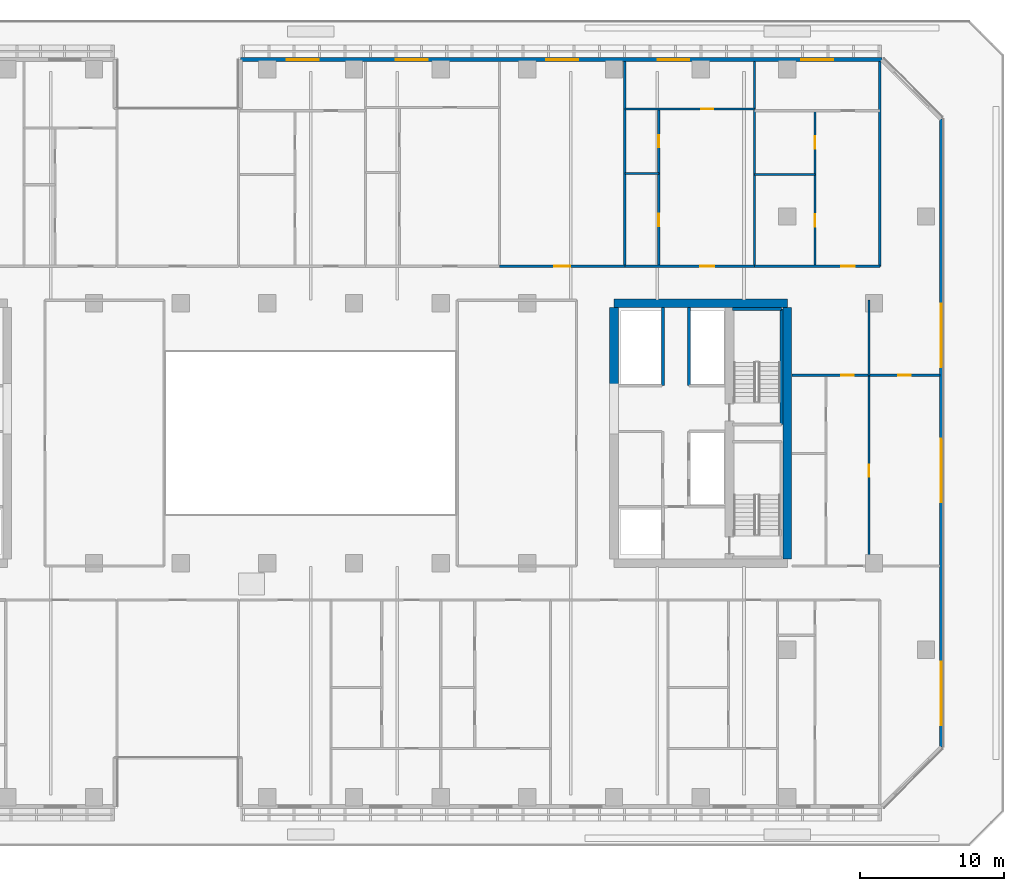
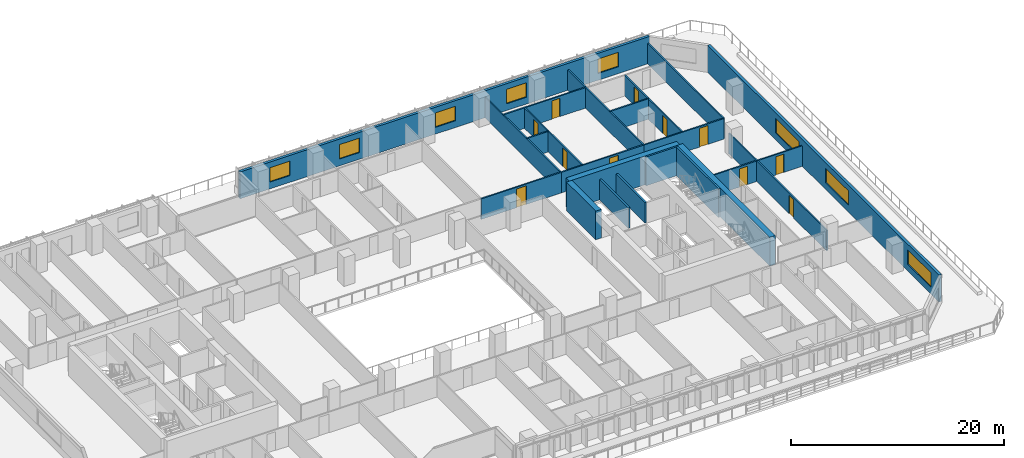
# One storey, part 11 of 23: 23 walls, 11 doors, 8 windows, 19 openings.
"""IFC4 building model written with IfcOpenShell, lengths in metres."""

import ifcopenshell
import ifcopenshell.guid

model = None  # the IFC model being written
_history = None  # IfcOwnerHistory: only IFC2X3 demands one
_inside = {}  # id of a spatial element -> (the spatial element, [elements in it])
_under = {}  # id of a project, library or spatial element -> (it, [spatial elements below it])
_declared = {}  # id of a project -> (the project, [libraries it declares])
_typed = {}  # id of a type object -> (the type object, [elements of that type])
_made_of = {}  # id of a material, layer set ... -> (it, [elements and type objects made of it])


def new_model(schema):
    """Start an empty IFC model of exactly this schema.

    Asked for "IFC4X3", IfcOpenShell would pick the latest addendum, in which some entities
    have other attributes; the version numbers below select the first issue.
    IFC2X3 requires an IfcOwnerHistory on every rooted entity: one is made here for all.
    """
    global model, _history
    if schema == "IFC4X3":
        model = ifcopenshell.file(schema_version=(4, 3, 0, 0))
    else:
        model = ifcopenshell.file(schema=schema)
    _inside.clear()
    _under.clear()
    _declared.clear()
    _typed.clear()
    _made_of.clear()
    _history = None
    if model.schema == "IFC2X3":
        org = make("IfcOrganization", Name="unknown")
        user = make(
            "IfcPersonAndOrganization",
            ThePerson=make("IfcPerson", FamilyName="unknown"),
            TheOrganization=org,
        )
        app = make(
            "IfcApplication",
            ApplicationDeveloper=org,
            Version="unknown",
            ApplicationFullName="unknown",
            ApplicationIdentifier="unknown",
        )
        _history = make(
            "IfcOwnerHistory",
            OwningUser=user,
            OwningApplication=app,
            ChangeAction="ADDED",
            CreationDate=0,
        )
    return model


def make(cls, **values):
    """One entity of the class cls with the attributes given. An attribute that is None is left unset."""
    return model.create_entity(
        cls, **{name: value for name, value in values.items() if value is not None}
    )


def rooted(cls, **values):
    """An entity with a GlobalId (a new one), such as an element, a storey or a relation."""
    return make(cls, GlobalId=ifcopenshell.guid.new(), OwnerHistory=_history, **values)


def si_unit(unit_type, name, prefix=None):
    """IfcSIUnit, for example si_unit("LENGTHUNIT", "METRE", prefix="MILLI")."""
    return make("IfcSIUnit", UnitType=unit_type, Prefix=prefix, Name=name)


def assignment(units):
    """IfcUnitAssignment: the units of a project."""
    return None if units is None else make("IfcUnitAssignment", Units=units)


def point(xyz):
    """IfcCartesianPoint."""
    return None if xyz is None else make("IfcCartesianPoint", Coordinates=xyz)


def direction(xyz):
    """IfcDirection."""
    return None if xyz is None else make("IfcDirection", DirectionRatios=xyz)


def frame(location, z_axis=None, x_axis=None):
    """IfcAxis2Placement3D, a coordinate frame: its origin and axes. An axis left out is left unset."""
    return make(
        "IfcAxis2Placement3D",
        Location=point(location),
        Axis=direction(z_axis),
        RefDirection=direction(x_axis),
    )


def frame_2d(location, x_axis=None):
    """IfcAxis2Placement2D, a coordinate frame in the plane: its origin and x axis."""
    return make(
        "IfcAxis2Placement2D", Location=point(location), RefDirection=direction(x_axis)
    )


def origin():
    """The frame at (0, 0, 0) with its axes left unset."""
    return frame((0.0, 0.0, 0.0))


def place(relative_to, where):
    """IfcLocalPlacement: puts the frame where relative to a parent placement (None: the world)."""
    return make(
        "IfcLocalPlacement", PlacementRelTo=relative_to, RelativePlacement=where
    )


def context(
    kind, dimensions, precision=None, world=None, true_north=None, identifier=None
):
    """IfcGeometricRepresentationContext, for example the 3D "Model" context."""
    return make(
        "IfcGeometricRepresentationContext",
        ContextIdentifier=identifier,
        ContextType=kind,
        CoordinateSpaceDimension=dimensions,
        Precision=precision,
        WorldCoordinateSystem=world,
        TrueNorth=true_north,
    )


def subcontext(parent, identifier, kind, view, scale=None):
    """IfcGeometricRepresentationSubContext, for example "Body" below "Model"."""
    return make(
        "IfcGeometricRepresentationSubContext",
        ContextIdentifier=identifier,
        ContextType=kind,
        ParentContext=parent,
        TargetScale=scale,
        TargetView=view,
    )


def project(units=None, contexts=None):
    """IfcProject with its units and contexts."""
    return rooted(
        "IfcProject",
        Name="project",
        RepresentationContexts=contexts,
        UnitsInContext=assignment(units),
    )


def spatial(cls, under=None, at=None, **own):
    """A site, building, storey or space (cls), placed at a placement, below another one or the project."""
    s = rooted(cls, ObjectPlacement=at, **own)
    if under is not None:
        _under.setdefault(under.id(), (under, []))[1].append(s)
    return s


def profile(cls, at=None, kind="AREA", **sizes):
    """A parametric profile (cls). Its sizes go by their IFC names, for example OverallWidth=200.0."""
    return make(cls, ProfileType=kind, Position=at, **sizes)


def rectangle(**sizes):
    """IfcRectangleProfileDef."""
    return profile("IfcRectangleProfileDef", **sizes)


def extrude(swept, where, along, depth):
    """IfcExtrudedAreaSolid: the profile swept, set in the frame where, extruded along a direction by depth."""
    return make(
        "IfcExtrudedAreaSolid",
        SweptArea=swept,
        Position=where,
        ExtrudedDirection=direction(along),
        Depth=depth,
    )


def shape(context_of_items, identifier, shape_type, items):
    """IfcShapeRepresentation: the items that make up one representation, for example the "Body"."""
    return make(
        "IfcShapeRepresentation",
        ContextOfItems=context_of_items,
        RepresentationIdentifier=identifier,
        RepresentationType=shape_type,
        Items=items,
    )


def material(Name=None, Category=None):
    """IfcMaterial."""
    return make("IfcMaterial", Name=Name, Category=Category)


def layer(
    of_material, thickness, ventilated=None, Name=None, Category=None, Priority=None
):
    """IfcMaterialLayer: one layer of a wall or slab, of a material (None: an air gap)."""
    return make(
        "IfcMaterialLayer",
        Material=of_material,
        LayerThickness=thickness,
        IsVentilated=ventilated,
        Name=Name,
        Category=Category,
        Priority=Priority,
    )


def layer_set(layers, Name=None):
    """IfcMaterialLayerSet."""
    return make("IfcMaterialLayerSet", MaterialLayers=layers, LayerSetName=Name)


def made_of(thing, what):
    """Note that an element or type object is made of a material, layer set ...; save() writes the relation."""
    if what is not None:
        _made_of.setdefault(what.id(), (what, []))[1].append(thing)
    return thing


def type_object(cls, material=None, **own):
    """A type object (cls), such as IfcWallType, which elements share."""
    return made_of(rooted(cls, **own), material)


def element(
    cls,
    number,
    at=None,
    inside=None,
    cuts=None,
    type_object=None,
    material=None,
    context=None,
    identifier="Body",
    shape_type=None,
    held_by="IfcProductDefinitionShape",
    body=None,
    shapes=None,
    **own,
):
    """One element of the class cls, such as IfcWall. Its Tag is "e" and its number.

    at: its placement. inside: the storey or other place that contains it. cuts: it is an
    opening in that element (IfcRelVoidsElement). A single representation is given by context,
    identifier, shape_type and body (its items); several are given by shapes. held_by: the class
    of the entity that holds the representations. save() writes the other relations.
    """
    e = rooted(cls, Tag="e%d" % number, ObjectPlacement=at, **own)
    if body is not None:
        shapes = [shape(context, identifier, shape_type, body)]
    if shapes is not None:
        e.Representation = make(held_by, Representations=shapes)
    if inside is not None:
        _inside.setdefault(inside.id(), (inside, []))[1].append(e)
    if cuts is not None:
        rooted(
            "IfcRelVoidsElement", RelatingBuildingElement=cuts, RelatedOpeningElement=e
        )
    if type_object is not None:
        _typed.setdefault(type_object.id(), (type_object, []))[1].append(e)
    return made_of(e, material)


def fill(opening, filler):
    """IfcRelFillsElement: the door or window that sits in an opening."""
    return rooted(
        "IfcRelFillsElement",
        RelatingOpeningElement=opening,
        RelatedBuildingElement=filler,
    )


def aggregate(whole, parts):
    """IfcRelAggregates: a whole, such as a stair, and the parts it consists of."""
    return rooted("IfcRelAggregates", RelatingObject=whole, RelatedObjects=parts)


def save(model, path):
    """Write the relations noted so far, then the file.

    IfcRelAggregates (storeys below a building ...), IfcRelContainedInSpatialStructure (elements
    in a storey), IfcRelDefinesByType, IfcRelAssociatesMaterial and IfcRelDeclares: one each for
    every whole, place, type object, material and project.
    """
    for whole, parts in _under.values():
        aggregate(whole, parts)
    for where, things in _inside.values():
        rooted(
            "IfcRelContainedInSpatialStructure",
            RelatedElements=things,
            RelatingStructure=where,
        )
    for kind, things in _typed.values():
        rooted("IfcRelDefinesByType", RelatedObjects=things, RelatingType=kind)
    for what, things in _made_of.values():
        rooted("IfcRelAssociatesMaterial", RelatedObjects=things, RelatingMaterial=what)
    for by, libraries in _declared.values():
        rooted("IfcRelDeclares", RelatingContext=by, RelatedDefinitions=libraries)
    model.write(path)


model = new_model("IFC4")

# Units and contexts
model_context = context("Model", 3, precision=1e-05, world=origin(), true_north=direction((0.0, 1.0)))
body_context = subcontext(model_context, "Body", "Model", "MODEL_VIEW")
ifc_project = project(units=[si_unit("LENGTHUNIT", "METRE"), si_unit("AREAUNIT", "SQUARE_METRE"), si_unit("VOLUMEUNIT", "CUBIC_METRE"), si_unit("PLANEANGLEUNIT", "RADIAN"), si_unit("MASSUNIT", "GRAM", prefix="KILO")], contexts=[model_context])

# Site, building, storey
site_placement = place(None, origin())
site = spatial("IfcSite", under=ifc_project, at=site_placement, CompositionType="ELEMENT")
building_placement = place(site_placement, origin())
building = spatial("IfcBuilding", under=site, at=building_placement, Name="Tanjung Sevakor Pilgrim Tower", CompositionType="ELEMENT")
storey_placement = place(building_placement, frame((0.0, 0.0, 29.0400390625)))
storey = spatial("IfcBuildingStorey", under=building, at=storey_placement, Name="L07", CompositionType="ELEMENT", Elevation=29.0400390625)

# Walls
ifc_material_1 = material(Name="Concrete C60/75", Category="concrete")
ifc_layer_1 = layer(ifc_material_1, 0.60009765625)
ifc_layer_set_1 = layer_set([ifc_layer_1], Name="WALL-CW-600")
wall_type_1 = type_object("IfcWallType", Name="WALL-CW-600", PredefinedType="SHEAR", material=ifc_layer_set_1)
wall_1_placement = place(storey_placement, frame((90.0, 42.60009765625, 0.0), z_axis=(0.0, 0.0, 1.0), x_axis=(-1.0, 0.0, 0.0)))
element("IfcWall", 1, at=wall_1_placement, inside=storey, type_object=wall_type_1, Name="L07 E Core North Shear Wall", PredefinedType="SHEAR", context=body_context, shape_type="SweptSolid", body=[
    extrude(rectangle(XDim=12.0, YDim=0.60009765625, at=frame_2d((6.0, 0.0))), origin(), (0.0, 0.0, 1.0), 3.300048828125),
])
wall_2_placement = place(storey_placement, frame((90.0, 24.89990234375, 0.0), z_axis=(0.0, 0.0, 1.0), x_axis=(0.0, 1.0, 0.0)))
element("IfcWall", 2, at=wall_2_placement, inside=storey, type_object=wall_type_1, Name="L07 E Core Outer Shear Wall", PredefinedType="SHEAR", context=body_context, shape_type="SweptSolid", body=[
    extrude(rectangle(XDim=17.400146484375, YDim=0.60009765625, at=frame_2d((8.7001953125, 0.0))), origin(), (0.0, 0.0, 1.0), 3.300048828125),
])
wall_3_placement = place(storey_placement, frame((78.0, 36.800048828125, 0.0), z_axis=(0.0, 0.0, 1.0), x_axis=(0.0, 1.0, 0.0)))
element("IfcWall", 3, at=wall_3_placement, inside=storey, type_object=wall_type_1, Name="L07 E Core Inner Shear Wall North", PredefinedType="SHEAR", context=body_context, shape_type="SweptSolid", body=[
    extrude(rectangle(XDim=5.5, YDim=0.60009765625, at=frame_2d((2.75, 0.0))), origin(), (0.0, 0.0, 1.0), 3.300048828125),
])
ifc_material_2 = material(Name="Concrete C40/50", Category="concrete")
ifc_layer_2 = layer(ifc_material_2, 0.14990234375)
ifc_layer_set_2 = layer_set([ifc_layer_2], Name="WT-COMP-150")
wall_type_2 = type_object("IfcWallType", Name="WT-COMP-150", PredefinedType="SOLIDWALL", material=ifc_layer_set_2)
for number, where, z_axis, x_axis, name in (
    (4, (96.39990234375, 45.14990234375, 0.0), (0.0, 0.0, 1.0), (0.0, 1.0, 0.0), "L07 Partition IW-L07-090"),
    (5, (78.747802734375, 45.14990234375, 0.0), (0.0, 0.0, 1.0), (0.0, 1.0, 0.0), "L07 Partition IW-L07-101"),
):
    element("IfcWall", number, at=place(storey_placement, frame(where, z_axis=z_axis, x_axis=x_axis)), inside=storey, type_object=wall_type_2, Name=name, PredefinedType="SOLIDWALL", context=body_context, shape_type="SweptSolid", body=[
        extrude(rectangle(XDim=14.170166015625, YDim=0.14990234375, at=frame_2d((7.0849609375, 0.0))), origin(), (0.0, 0.0, 1.0), 2.35009765625),
    ])

# Wall, opening, door
wall_4_placement = place(storey_placement, frame((70.0712890625, 45.14990234375, 0.0), z_axis=(0.0, 0.0, 1.0), x_axis=(1.0, 0.0, 0.0)))
wall_4 = element("IfcWall", 6, at=wall_4_placement, inside=storey, type_object=wall_type_2, Name="L07 Partition IW-L07-102", PredefinedType="SOLIDWALL", context=body_context, shape_type="SweptSolid", body=[
    extrude(rectangle(XDim=8.676513671875, YDim=0.14990234375, at=frame_2d((4.33837890625, 0.0))), origin(), (0.0, 0.0, 1.0), 2.35009765625),
])
opening_1_placement = place(wall_4_placement, frame((3.788330078125, 0.0, 0.0)))
opening_1 = element("IfcOpeningElement", 7, at=opening_1_placement, cuts=wall_4, Name="Opening ID-FD0", PredefinedType="OPENING", context=body_context, shape_type="SweptSolid", body=[
    extrude(rectangle(XDim=1.10009765625, YDim=2.14990234375, at=frame_2d((0.550048828125, 1.074951171875))), frame((0.0, 0.0849609375, 0.0), z_axis=(0.0, -1.0, 0.0), x_axis=(1.0, 0.0, 0.0)), (0.0, 0.0, 1.0), 0.169921875),
])
ifc_material_3 = material(Name="Fire-Rated Steel S355J2", Category="steel")
door_type_1 = type_object("IfcDoorType", Name="DT-FIRE-1100", OperationType="NOTDEFINED", PredefinedType="DOOR", material=ifc_material_3)
door_1_placement = place(opening_1_placement, origin())
door_1 = element("IfcDoor", 8, at=door_1_placement, inside=storey, type_object=door_type_1, Name="Communal Lounge Door", OperationType="SINGLE_SWING_RIGHT", OverallHeight=2.14990234375, OverallWidth=1.10009765625, PredefinedType="DOOR", context=body_context, shape_type="SweptSolid", body=[
    extrude(rectangle(XDim=1.10009765625, YDim=2.14990234375, at=frame_2d((0.550048828125, 1.074951171875))), frame((0.0, 0.02490234375, 0.0), z_axis=(0.0, -1.0, 0.0), x_axis=(1.0, 0.0, 0.0)), (0.0, 0.0, 1.0), 0.050048828125),
])
fill(opening_1, door_1)

# Wall
wall_5_placement = place(storey_placement, frame((87.7236328125, 45.14990234375, 0.0), z_axis=(0.0, 0.0, 1.0), x_axis=(0.0, 1.0, 0.0)))
element("IfcWall", 9, at=wall_5_placement, inside=storey, type_object=wall_type_2, Name="L07 Partition IW-L07-103", PredefinedType="SOLIDWALL", context=body_context, shape_type="SweptSolid", body=[
    extrude(rectangle(XDim=14.170166015625, YDim=0.14990234375, at=frame_2d((7.0849609375, 0.0))), origin(), (0.0, 0.0, 1.0), 2.35009765625),
])

# Wall, opening, door
wall_6_placement = place(storey_placement, frame((78.747802734375, 45.14990234375, 0.0), z_axis=(0.0, 0.0, 1.0), x_axis=(1.0, 0.0, 0.0)))
wall_6 = element("IfcWall", 10, at=wall_6_placement, inside=storey, type_object=wall_type_2, Name="L07 Partition IW-L07-107", PredefinedType="SOLIDWALL", context=body_context, shape_type="SweptSolid", body=[
    extrude(rectangle(XDim=8.975830078125, YDim=0.14990234375, at=frame_2d((4.48779296875, 0.0))), origin(), (0.0, 0.0, 1.0), 2.35009765625),
])
opening_2_placement = place(wall_6_placement, frame((5.227783203125, 0.0, 0.0)))
opening_2 = element("IfcOpeningElement", 11, at=opening_2_placement, cuts=wall_6, Name="Opening ID-FD2", PredefinedType="OPENING", context=body_context, shape_type="SweptSolid", body=[
    extrude(rectangle(XDim=0.949951171875, YDim=2.14990234375, at=frame_2d((0.47509765625, 1.074951171875))), frame((0.0, 0.0849609375, 0.0), z_axis=(0.0, -1.0, 0.0), x_axis=(1.0, 0.0, 0.0)), (0.0, 0.0, 1.0), 0.169921875),
])
ifc_material_4 = material(Name="Fire-Rated Timber", Category="wood")
door_type_2 = type_object("IfcDoorType", Name="DT-FIRE-950", OperationType="NOTDEFINED", PredefinedType="DOOR", material=ifc_material_4)
door_2_placement = place(opening_2_placement, origin())
door_2 = element("IfcDoor", 12, at=door_2_placement, inside=storey, type_object=door_type_2, Name="Residence Entrance", OperationType="SINGLE_SWING_RIGHT", OverallHeight=2.14990234375, OverallWidth=0.949951171875, PredefinedType="DOOR", context=body_context, shape_type="SweptSolid", body=[
    extrude(rectangle(XDim=0.949951171875, YDim=2.14990234375, at=frame_2d((0.47509765625, 1.074951171875))), frame((0.0, 0.02490234375, 0.0), z_axis=(0.0, -1.0, 0.0), x_axis=(1.0, 0.0, 0.0)), (0.0, 0.0, 1.0), 0.050048828125),
])
fill(opening_2, door_2)

wall_7_placement = place(storey_placement, frame((87.7236328125, 45.14990234375, 0.0), z_axis=(0.0, 0.0, 1.0), x_axis=(1.0, 0.0, 0.0)))
wall_7 = element("IfcWall", 13, at=wall_7_placement, inside=storey, type_object=wall_type_2, Name="L07 Partition IW-L07-111", PredefinedType="SOLIDWALL", context=body_context, shape_type="SweptSolid", body=[
    extrude(rectangle(XDim=8.67626953125, YDim=0.14990234375, at=frame_2d((4.338134765625, 0.0))), origin(), (0.0, 0.0, 1.0), 2.35009765625),
])
opening_3_placement = place(wall_7_placement, frame((6.00146484375, 0.0, 0.0)))
opening_3 = element("IfcOpeningElement", 14, at=opening_3_placement, cuts=wall_7, Name="Opening ID-FD2", PredefinedType="OPENING", context=body_context, shape_type="SweptSolid", body=[
    extrude(rectangle(XDim=0.949951171875, YDim=2.14990234375, at=frame_2d((0.47509765625, 1.074951171875))), frame((0.0, 0.0849609375, 0.0), z_axis=(0.0, -1.0, 0.0), x_axis=(1.0, 0.0, 0.0)), (0.0, 0.0, 1.0), 0.169921875),
])
door_3_placement = place(opening_3_placement, origin())
door_3 = element("IfcDoor", 15, at=door_3_placement, inside=storey, type_object=door_type_2, Name="Residence Entrance", OperationType="SINGLE_SWING_RIGHT", OverallHeight=2.14990234375, OverallWidth=0.949951171875, PredefinedType="DOOR", context=body_context, shape_type="SweptSolid", body=[
    extrude(rectangle(XDim=0.949951171875, YDim=2.14990234375, at=frame_2d((0.47509765625, 1.074951171875))), frame((0.0, 0.02490234375, 0.0), z_axis=(0.0, -1.0, 0.0), x_axis=(1.0, 0.0, 0.0)), (0.0, 0.0, 1.0), 0.050048828125),
])
fill(opening_3, door_3)

# Wall, openings, windows
ifc_material_5 = material(Name="Precast concrete C45/55", Category="concrete")
ifc_layer_3 = layer(ifc_material_5, 0.280029296875)
ifc_layer_set_3 = layer_set([ifc_layer_3], Name="WT-EW-STN2")
wall_type_3 = type_object("IfcWallType", Name="WT-EW-STN2", PredefinedType="SOLIDWALL", material=ifc_layer_set_3)
wall_8_placement = place(storey_placement, frame((100.659912109375, 11.85791015625, 0.0), z_axis=(0.0, 0.0, 1.0), x_axis=(0.0, 1.0, 0.0)))
wall_8 = element("IfcWall", 16, at=wall_8_placement, inside=storey, type_object=wall_type_3, Name="L07 MAIN Exterior Wall 7", PredefinedType="SOLIDWALL", context=body_context, shape_type="SweptSolid", body=[
    extrude(rectangle(XDim=43.484130859375, YDim=0.280029296875, at=frame_2d((21.7421875, 0.0))), origin(), (0.0, 0.0, 1.0), 3.080078125),
])
opening_4_placement = place(wall_8_placement, frame((16.951904296875, 0.0, 0.780029296875)))
opening_4 = element("IfcOpeningElement", 17, at=opening_4_placement, cuts=wall_8, Name="Opening WN-ENDW-1660", PredefinedType="OPENING", context=body_context, shape_type="SweptSolid", body=[
    extrude(rectangle(XDim=4.39990234375, YDim=1.659912109375, at=frame_2d((2.199951171875, 0.830078125))), frame((0.0, 0.14990234375, 0.0), z_axis=(0.0, -1.0, 0.0), x_axis=(1.0, 0.0, 0.0)), (0.0, 0.0, 1.0), 0.300048828125),
])
opening_5_placement = place(wall_8_placement, frame((26.2919921875, 0.0, 0.780029296875)))
opening_5 = element("IfcOpeningElement", 18, at=opening_5_placement, cuts=wall_8, Name="Opening WN-ENDW-1660", PredefinedType="OPENING", context=body_context, shape_type="SweptSolid", body=[
    extrude(rectangle(XDim=4.39990234375, YDim=1.659912109375, at=frame_2d((2.199951171875, 0.830078125))), frame((0.0, 0.14990234375, 0.0), z_axis=(0.0, -1.0, 0.0), x_axis=(1.0, 0.0, 0.0)), (0.0, 0.0, 1.0), 0.300048828125),
])
opening_6_placement = place(wall_8_placement, frame((1.510986328125, 0.0, 0.780029296875)))
opening_6 = element("IfcOpeningElement", 19, at=opening_6_placement, cuts=wall_8, Name="Opening WN-ENDW-1660", PredefinedType="OPENING", context=body_context, shape_type="SweptSolid", body=[
    extrude(rectangle(XDim=4.39990234375, YDim=1.659912109375, at=frame_2d((2.199951171875, 0.830078125))), frame((0.0, 0.14990234375, 0.0), z_axis=(0.0, -1.0, 0.0), x_axis=(1.0, 0.0, 0.0)), (0.0, 0.0, 1.0), 0.300048828125),
])
ifc_material_6 = material(Name="Thermally Broken Aluminium and Low-E Glass", Category="aluminium")
window_type_1 = type_object("IfcWindowType", Name="WTYP-WN-ENDW-1660", PartitioningType="DOUBLE_PANEL_VERTICAL", PredefinedType="WINDOW", material=ifc_material_6)
window_1_placement = place(opening_4_placement, origin())
window_1 = element("IfcWindow", 20, at=window_1_placement, inside=storey, type_object=window_type_1, Name="L07 Facade Window 01", OverallHeight=1.659912109375, OverallWidth=4.39990234375, PartitioningType="SINGLE_PANEL", PredefinedType="WINDOW", context=body_context, shape_type="SweptSolid", body=[
    extrude(rectangle(XDim=4.39990234375, YDim=1.659912109375, at=frame_2d((2.199951171875, 0.830078125))), frame((0.0, 0.030029296875, 0.0), z_axis=(0.0, -1.0, 0.0), x_axis=(1.0, 0.0, 0.0)), (0.0, 0.0, 1.0), 0.06005859375),
])
fill(opening_4, window_1)
window_2_placement = place(opening_5_placement, origin())
window_2 = element("IfcWindow", 21, at=window_2_placement, inside=storey, type_object=window_type_1, Name="L07 Facade Window 02", OverallHeight=1.659912109375, OverallWidth=4.39990234375, PartitioningType="SINGLE_PANEL", PredefinedType="WINDOW", context=body_context, shape_type="SweptSolid", body=[
    extrude(rectangle(XDim=4.39990234375, YDim=1.659912109375, at=frame_2d((2.199951171875, 0.830078125))), frame((0.0, 0.030029296875, 0.0), z_axis=(0.0, -1.0, 0.0), x_axis=(1.0, 0.0, 0.0)), (0.0, 0.0, 1.0), 0.06005859375),
])
fill(opening_5, window_2)
window_3_placement = place(opening_6_placement, origin())
window_3 = element("IfcWindow", 22, at=window_3_placement, inside=storey, type_object=window_type_1, Name="L07 Facade Window 03", OverallHeight=1.659912109375, OverallWidth=4.39990234375, PartitioningType="SINGLE_PANEL", PredefinedType="WINDOW", context=body_context, shape_type="SweptSolid", body=[
    extrude(rectangle(XDim=4.39990234375, YDim=1.659912109375, at=frame_2d((2.199951171875, 0.830078125))), frame((0.0, 0.030029296875, 0.0), z_axis=(0.0, -1.0, 0.0), x_axis=(1.0, 0.0, 0.0)), (0.0, 0.0, 1.0), 0.06005859375),
])
fill(opening_6, window_3)

wall_9_placement = place(storey_placement, frame((96.5419921875, 59.4599609375, 0.0), z_axis=(0.0, 0.0, 1.0), x_axis=(-1.0, 0.0, 0.0)))
wall_9 = element("IfcWall", 23, at=wall_9_placement, inside=storey, type_object=wall_type_3, Name="L07 MAIN Exterior Wall 9", PredefinedType="SOLIDWALL", context=body_context, shape_type="SweptSolid", body=[
    extrude(rectangle(XDim=44.402099609375, YDim=0.280029296875, at=frame_2d((22.201171875, 0.0))), origin(), (0.0, 0.0, 1.0), 3.080078125),
])
opening_7_placement = place(wall_9_placement, frame((38.983642578125, 0.0, 0.780029296875)))
opening_7 = element("IfcOpeningElement", 24, at=opening_7_placement, cuts=wall_9, Name="Opening WN-Z1-1660", PredefinedType="OPENING", context=body_context, shape_type="SweptSolid", body=[
    extrude(rectangle(XDim=2.199951171875, YDim=1.659912109375, at=frame_2d((1.10009765625, 0.830078125))), frame((0.0, 0.14990234375, 0.0), z_axis=(0.0, -1.0, 0.0), x_axis=(1.0, 0.0, 0.0)), (0.0, 0.0, 1.0), 0.300048828125),
])
opening_8_placement = place(wall_9_placement, frame((31.447998046875, 0.0, 0.780029296875)))
opening_8 = element("IfcOpeningElement", 25, at=opening_8_placement, cuts=wall_9, Name="Opening WN-Z1-1660", PredefinedType="OPENING", context=body_context, shape_type="SweptSolid", body=[
    extrude(rectangle(XDim=2.199951171875, YDim=1.659912109375, at=frame_2d((1.10009765625, 0.830078125))), frame((0.0, 0.14990234375, 0.0), z_axis=(0.0, -1.0, 0.0), x_axis=(1.0, 0.0, 0.0)), (0.0, 0.0, 1.0), 0.300048828125),
])
opening_9_placement = place(wall_9_placement, frame((21.032470703125, 0.0, 0.780029296875)))
opening_9 = element("IfcOpeningElement", 26, at=opening_9_placement, cuts=wall_9, Name="Opening WN-Z1-1660", PredefinedType="OPENING", context=body_context, shape_type="SweptSolid", body=[
    extrude(rectangle(XDim=2.199951171875, YDim=1.659912109375, at=frame_2d((1.10009765625, 0.830078125))), frame((0.0, 0.14990234375, 0.0), z_axis=(0.0, -1.0, 0.0), x_axis=(1.0, 0.0, 0.0)), (0.0, 0.0, 1.0), 0.300048828125),
])
opening_10_placement = place(wall_9_placement, frame((13.326171875, 0.0, 0.780029296875)))
opening_10 = element("IfcOpeningElement", 27, at=opening_10_placement, cuts=wall_9, Name="Opening WN-Z1-1660", PredefinedType="OPENING", context=body_context, shape_type="SweptSolid", body=[
    extrude(rectangle(XDim=2.199951171875, YDim=1.659912109375, at=frame_2d((1.10009765625, 0.830078125))), frame((0.0, 0.14990234375, 0.0), z_axis=(0.0, -1.0, 0.0), x_axis=(1.0, 0.0, 0.0)), (0.0, 0.0, 1.0), 0.300048828125),
])
opening_11_placement = place(wall_9_placement, frame((3.380126953125, 0.0, 0.780029296875)))
opening_11 = element("IfcOpeningElement", 28, at=opening_11_placement, cuts=wall_9, Name="Opening WN-Z1-1660", PredefinedType="OPENING", context=body_context, shape_type="SweptSolid", body=[
    extrude(rectangle(XDim=2.199951171875, YDim=1.659912109375, at=frame_2d((1.10009765625, 0.830078125))), frame((0.0, 0.14990234375, 0.0), z_axis=(0.0, -1.0, 0.0), x_axis=(1.0, 0.0, 0.0)), (0.0, 0.0, 1.0), 0.300048828125),
])
ifc_material_7 = material(Name="Thermally Broken Aluminium and Low-E Glass", Category="aluminium")
window_type_2 = type_object("IfcWindowType", Name="WTYP-WN-Z1-1660", PartitioningType="DOUBLE_PANEL_VERTICAL", PredefinedType="WINDOW", material=ifc_material_7)
window_4_placement = place(opening_7_placement, origin())
window_4 = element("IfcWindow", 29, at=window_4_placement, inside=storey, type_object=window_type_2, Name="L07 Facade Window 01", OverallHeight=1.659912109375, OverallWidth=2.199951171875, PartitioningType="SINGLE_PANEL", PredefinedType="WINDOW", context=body_context, shape_type="SweptSolid", body=[
    extrude(rectangle(XDim=2.199951171875, YDim=1.659912109375, at=frame_2d((1.10009765625, 0.830078125))), frame((0.0, 0.030029296875, 0.0), z_axis=(0.0, -1.0, 0.0), x_axis=(1.0, 0.0, 0.0)), (0.0, 0.0, 1.0), 0.06005859375),
])
fill(opening_7, window_4)
window_5_placement = place(opening_8_placement, origin())
window_5 = element("IfcWindow", 30, at=window_5_placement, inside=storey, type_object=window_type_2, Name="L07 Facade Window 02", OverallHeight=1.659912109375, OverallWidth=2.199951171875, PartitioningType="SINGLE_PANEL", PredefinedType="WINDOW", context=body_context, shape_type="SweptSolid", body=[
    extrude(rectangle(XDim=2.199951171875, YDim=1.659912109375, at=frame_2d((1.10009765625, 0.830078125))), frame((0.0, 0.030029296875, 0.0), z_axis=(0.0, -1.0, 0.0), x_axis=(1.0, 0.0, 0.0)), (0.0, 0.0, 1.0), 0.06005859375),
])
fill(opening_8, window_5)
window_6_placement = place(opening_9_placement, origin())
window_6 = element("IfcWindow", 31, at=window_6_placement, inside=storey, type_object=window_type_2, Name="L07 Facade Window 03", OverallHeight=1.659912109375, OverallWidth=2.199951171875, PartitioningType="SINGLE_PANEL", PredefinedType="WINDOW", context=body_context, shape_type="SweptSolid", body=[
    extrude(rectangle(XDim=2.199951171875, YDim=1.659912109375, at=frame_2d((1.10009765625, 0.830078125))), frame((0.0, 0.030029296875, 0.0), z_axis=(0.0, -1.0, 0.0), x_axis=(1.0, 0.0, 0.0)), (0.0, 0.0, 1.0), 0.06005859375),
])
fill(opening_9, window_6)
window_7_placement = place(opening_10_placement, origin())
window_7 = element("IfcWindow", 32, at=window_7_placement, inside=storey, type_object=window_type_2, Name="L07 Facade Window 04", OverallHeight=1.659912109375, OverallWidth=2.199951171875, PartitioningType="SINGLE_PANEL", PredefinedType="WINDOW", context=body_context, shape_type="SweptSolid", body=[
    extrude(rectangle(XDim=2.199951171875, YDim=1.659912109375, at=frame_2d((1.10009765625, 0.830078125))), frame((0.0, 0.030029296875, 0.0), z_axis=(0.0, -1.0, 0.0), x_axis=(1.0, 0.0, 0.0)), (0.0, 0.0, 1.0), 0.06005859375),
])
fill(opening_10, window_7)
window_8_placement = place(opening_11_placement, origin())
window_8 = element("IfcWindow", 33, at=window_8_placement, inside=storey, type_object=window_type_2, Name="L07 Facade Window 05", OverallHeight=1.659912109375, OverallWidth=2.199951171875, PartitioningType="SINGLE_PANEL", PredefinedType="WINDOW", context=body_context, shape_type="SweptSolid", body=[
    extrude(rectangle(XDim=2.199951171875, YDim=1.659912109375, at=frame_2d((1.10009765625, 0.830078125))), frame((0.0, 0.030029296875, 0.0), z_axis=(0.0, -1.0, 0.0), x_axis=(1.0, 0.0, 0.0)), (0.0, 0.0, 1.0), 0.06005859375),
])
fill(opening_11, window_8)

# Walls
ifc_material_8 = material(Name="Concrete C40/50", Category="concrete")
ifc_layer_4 = layer(ifc_material_8, 0.199951171875)
ifc_layer_set_4 = layer_set([ifc_layer_4], Name="WT-FIRE-200")
wall_type_4 = type_object("IfcWallType", Name="WT-FIRE-200", PredefinedType="SOLIDWALL", material=ifc_layer_set_4)
wall_10_placement = place(storey_placement, frame((89.60009765625, 34.199951171875, 0.0), z_axis=(0.0, 0.0, 1.0), x_axis=(0.0, 1.0, 0.0)))
element("IfcWall", 34, at=wall_10_placement, inside=storey, type_object=wall_type_4, Name="L07 TS-E2 Shaft Wall 2", PredefinedType="SOLIDWALL", context=body_context, shape_type="SweptSolid", body=[
    extrude(rectangle(XDim=8.0, YDim=0.199951171875, at=frame_2d((4.0, 0.0))), origin(), (0.0, 0.0, 1.0), 3.300048828125),
])
wall_11_placement = place(storey_placement, frame((89.60009765625, 42.199951171875, 0.0), z_axis=(0.0, 0.0, 1.0), x_axis=(-1.0, 0.0, 0.0)))
element("IfcWall", 35, at=wall_11_placement, inside=storey, type_object=wall_type_4, Name="L07 TS-E2 Shaft Wall 3", PredefinedType="SOLIDWALL", context=body_context, shape_type="SweptSolid", body=[
    extrude(rectangle(XDim=3.400146484375, YDim=0.199951171875, at=frame_2d((1.7001953125, 0.0))), origin(), (0.0, 0.0, 1.0), 3.300048828125),
])
ifc_material_9 = material(Name="Concrete C40/50", Category="concrete")
ifc_layer_5 = layer(ifc_material_9, 0.199951171875)
ifc_layer_set_5 = layer_set([ifc_layer_5], Name="WT-FPRT-200")
wall_type_5 = type_object("IfcWallType", Name="WT-FPRT-200", PredefinedType="SOLIDWALL", material=ifc_layer_set_5)
for number, where, z_axis, x_axis, name in (
    (36, (83.179931640625, 36.8798828125, 0.0), (0.0, 0.0, 1.0), (0.0, 1.0, 0.0), "L07 Partition IW-L07-018"),
    (37, (81.3798828125, 36.8798828125, 0.0), (0.0, 0.0, 1.0), (0.0, 1.0, 0.0), "L07 Partition IW-L07-020"),
):
    element("IfcWall", number, at=place(storey_placement, frame(where, z_axis=z_axis, x_axis=x_axis)), inside=storey, type_object=wall_type_5, Name=name, PredefinedType="SOLIDWALL", context=body_context, shape_type="SweptSolid", body=[
        extrude(rectangle(XDim=5.420166015625, YDim=0.199951171875, at=frame_2d((2.7099609375, 0.0))), origin(), (0.0, 0.0, 1.0), 2.35009765625),
    ])

# Wall, opening, door
ifc_material_10 = material(Name="Gypsum Board Partition", Category="gypsum board")
ifc_layer_6 = layer(ifc_material_10, 0.14990234375)
ifc_layer_set_6 = layer_set([ifc_layer_6], Name="WT-PART-150")
wall_type_6 = type_object("IfcWallType", Name="WT-PART-150", PredefinedType="PARTITIONING", material=ifc_layer_set_6)
wall_12_placement = place(storey_placement, frame((95.644775390625, 24.39990234375, 0.0), z_axis=(0.0, 0.0, 1.0), x_axis=(0.0, 1.0, 0.0)))
wall_12 = element("IfcWall", 38, at=wall_12_placement, inside=storey, type_object=wall_type_6, Name="L07 Partition IW-L07-030", PredefinedType="PARTITIONING", context=body_context, shape_type="SweptSolid", body=[
    extrude(rectangle(XDim=13.2001953125, YDim=0.14990234375, at=frame_2d((6.60009765625, 0.0))), origin(), (0.0, 0.0, 1.0), 2.35009765625),
])
opening_12_placement = place(wall_12_placement, frame((6.175048828125, 0.0, 0.0)))
opening_12 = element("IfcOpeningElement", 39, at=opening_12_placement, cuts=wall_12, Name="Opening ID-WC1", PredefinedType="OPENING", context=body_context, shape_type="SweptSolid", body=[
    extrude(rectangle(XDim=0.85009765625, YDim=2.10009765625, at=frame_2d((0.425048828125, 1.050048828125))), frame((0.0, 0.0849609375, 0.0), z_axis=(0.0, -1.0, 0.0), x_axis=(1.0, 0.0, 0.0)), (0.0, 0.0, 1.0), 0.169921875),
])
ifc_material_11 = material(Name="Moisture-Resistant Timber", Category="wood")
door_type_3 = type_object("IfcDoorType", Name="DT-INT-850", OperationType="NOTDEFINED", PredefinedType="DOOR", material=ifc_material_11)
door_4_placement = place(opening_12_placement, origin())
door_4 = element("IfcDoor", 40, at=door_4_placement, inside=storey, type_object=door_type_3, Name="Suite Study Room Door", OperationType="SINGLE_SWING_LEFT", OverallHeight=2.10009765625, OverallWidth=0.85009765625, PredefinedType="DOOR", context=body_context, shape_type="SweptSolid", body=[
    extrude(rectangle(XDim=0.85009765625, YDim=2.10009765625, at=frame_2d((0.425048828125, 1.050048828125))), frame((0.0, 0.02490234375, 0.0), z_axis=(0.0, -1.0, 0.0), x_axis=(1.0, 0.0, 0.0)), (0.0, 0.0, 1.0), 0.050048828125),
])
fill(opening_12, door_4)

# Wall
wall_13_placement = place(storey_placement, frame((95.644775390625, 37.60009765625, 0.0), z_axis=(0.0, 0.0, 1.0), x_axis=(0.0, 1.0, 0.0)))
element("IfcWall", 41, at=wall_13_placement, inside=storey, type_object=wall_type_6, Name="L07 Partition IW-L07-033", PredefinedType="PARTITIONING", context=body_context, shape_type="SweptSolid", body=[
    extrude(rectangle(XDim=5.199951171875, YDim=0.14990234375, at=frame_2d((2.60009765625, 0.0))), origin(), (0.0, 0.0, 1.0), 2.35009765625),
])

# Wall, openings, doors
wall_14_placement = place(storey_placement, frame((90.320068359375, 37.60009765625, 0.0), z_axis=(0.0, 0.0, 1.0), x_axis=(1.0, 0.0, 0.0)))
wall_14 = element("IfcWall", 42, at=wall_14_placement, inside=storey, type_object=wall_type_6, Name="L07 Partition IW-L07-034", PredefinedType="PARTITIONING", context=body_context, shape_type="SweptSolid", body=[
    extrude(rectangle(XDim=10.239990234375, YDim=0.14990234375, at=frame_2d((5.1201171875, 0.0))), origin(), (0.0, 0.0, 1.0), 2.35009765625),
])
opening_13_placement = place(wall_14_placement, frame((3.412353515625, 0.0, 0.0)))
opening_13 = element("IfcOpeningElement", 43, at=opening_13_placement, cuts=wall_14, Name="Opening ID-WC1", PredefinedType="OPENING", context=body_context, shape_type="SweptSolid", body=[
    extrude(rectangle(XDim=0.85009765625, YDim=2.10009765625, at=frame_2d((0.425048828125, 1.050048828125))), frame((0.0, 0.0849609375, 0.0), z_axis=(0.0, -1.0, 0.0), x_axis=(1.0, 0.0, 0.0)), (0.0, 0.0, 1.0), 0.169921875),
])
opening_14_placement = place(wall_14_placement, frame((7.357421875, 0.0, 0.0)))
opening_14 = element("IfcOpeningElement", 44, at=opening_14_placement, cuts=wall_14, Name="Opening ID-WC1", PredefinedType="OPENING", context=body_context, shape_type="SweptSolid", body=[
    extrude(rectangle(XDim=0.85009765625, YDim=2.10009765625, at=frame_2d((0.425048828125, 1.050048828125))), frame((0.0, 0.0849609375, 0.0), z_axis=(0.0, -1.0, 0.0), x_axis=(1.0, 0.0, 0.0)), (0.0, 0.0, 1.0), 0.169921875),
])
door_5_placement = place(opening_13_placement, origin())
door_5 = element("IfcDoor", 45, at=door_5_placement, inside=storey, type_object=door_type_3, Name="Suite Bedroom 1 Door", OperationType="SINGLE_SWING_RIGHT", OverallHeight=2.10009765625, OverallWidth=0.85009765625, PredefinedType="DOOR", context=body_context, shape_type="SweptSolid", body=[
    extrude(rectangle(XDim=0.85009765625, YDim=2.10009765625, at=frame_2d((0.425048828125, 1.050048828125))), frame((0.0, 0.02490234375, 0.0), z_axis=(0.0, -1.0, 0.0), x_axis=(1.0, 0.0, 0.0)), (0.0, 0.0, 1.0), 0.050048828125),
])
fill(opening_13, door_5)
door_6_placement = place(opening_14_placement, origin())
door_6 = element("IfcDoor", 46, at=door_6_placement, inside=storey, type_object=door_type_3, Name="Suite Bedroom 2 Door", OperationType="SINGLE_SWING_LEFT", OverallHeight=2.10009765625, OverallWidth=0.85009765625, PredefinedType="DOOR", context=body_context, shape_type="SweptSolid", body=[
    extrude(rectangle(XDim=0.85009765625, YDim=2.10009765625, at=frame_2d((0.425048828125, 1.050048828125))), frame((0.0, 0.02490234375, 0.0), z_axis=(0.0, -1.0, 0.0), x_axis=(1.0, 0.0, 0.0)), (0.0, 0.0, 1.0), 0.050048828125),
])
fill(opening_14, door_6)

# Wall
wall_15_placement = place(storey_placement, frame((78.747802734375, 51.571044921875, 0.0), z_axis=(0.0, 0.0, 1.0), x_axis=(1.0, 0.0, 0.0)))
element("IfcWall", 47, at=wall_15_placement, inside=storey, type_object=wall_type_6, Name="L07 Partition IW-L07-104", PredefinedType="PARTITIONING", context=body_context, shape_type="SweptSolid", body=[
    extrude(rectangle(XDim=2.35009765625, YDim=0.14990234375, at=frame_2d((1.175048828125, 0.0))), origin(), (0.0, 0.0, 1.0), 2.35009765625),
])

# Wall, openings, doors
wall_16_placement = place(storey_placement, frame((81.097900390625, 45.14990234375, 0.0), z_axis=(0.0, 0.0, 1.0), x_axis=(0.0, 1.0, 0.0)))
wall_16 = element("IfcWall", 48, at=wall_16_placement, inside=storey, type_object=wall_type_6, Name="L07 Partition IW-L07-105", PredefinedType="PARTITIONING", context=body_context, shape_type="SweptSolid", body=[
    extrude(rectangle(XDim=10.88330078125, YDim=0.14990234375, at=frame_2d((5.441650390625, 0.0))), origin(), (0.0, 0.0, 1.0), 2.35009765625),
])
opening_15_placement = place(wall_16_placement, frame((2.78564453125, 0.0, 0.0)))
opening_15 = element("IfcOpeningElement", 49, at=opening_15_placement, cuts=wall_16, Name="Opening ID-WC1", PredefinedType="OPENING", context=body_context, shape_type="SweptSolid", body=[
    extrude(rectangle(XDim=0.85009765625, YDim=2.10009765625, at=frame_2d((0.425048828125, 1.050048828125))), frame((0.0, 0.0849609375, 0.0), z_axis=(0.0, -1.0, 0.0), x_axis=(1.0, 0.0, 0.0)), (0.0, 0.0, 1.0), 0.169921875),
])
opening_16_placement = place(wall_16_placement, frame((8.227294921875, 0.0, 0.0)))
opening_16 = element("IfcOpeningElement", 50, at=opening_16_placement, cuts=wall_16, Name="Opening ID-WC1", PredefinedType="OPENING", context=body_context, shape_type="SweptSolid", body=[
    extrude(rectangle(XDim=0.85009765625, YDim=2.10009765625, at=frame_2d((0.425048828125, 1.050048828125))), frame((0.0, 0.0849609375, 0.0), z_axis=(0.0, -1.0, 0.0), x_axis=(1.0, 0.0, 0.0)), (0.0, 0.0, 1.0), 0.169921875),
])
door_7_placement = place(opening_15_placement, origin())
door_7 = element("IfcDoor", 51, at=door_7_placement, inside=storey, type_object=door_type_3, Name="Residence Kitchenette Door", OperationType="SINGLE_SWING_LEFT", OverallHeight=2.10009765625, OverallWidth=0.85009765625, PredefinedType="DOOR", context=body_context, shape_type="SweptSolid", body=[
    extrude(rectangle(XDim=0.85009765625, YDim=2.10009765625, at=frame_2d((0.425048828125, 1.050048828125))), frame((0.0, 0.02490234375, 0.0), z_axis=(0.0, -1.0, 0.0), x_axis=(1.0, 0.0, 0.0)), (0.0, 0.0, 1.0), 0.050048828125),
])
fill(opening_15, door_7)
door_8_placement = place(opening_16_placement, origin())
door_8 = element("IfcDoor", 52, at=door_8_placement, inside=storey, type_object=door_type_3, Name="Residence Bathroom Door", OperationType="SINGLE_SWING_RIGHT", OverallHeight=2.10009765625, OverallWidth=0.85009765625, PredefinedType="DOOR", context=body_context, shape_type="SweptSolid", body=[
    extrude(rectangle(XDim=0.85009765625, YDim=2.10009765625, at=frame_2d((0.425048828125, 1.050048828125))), frame((0.0, 0.02490234375, 0.0), z_axis=(0.0, -1.0, 0.0), x_axis=(1.0, 0.0, 0.0)), (0.0, 0.0, 1.0), 0.050048828125),
])
fill(opening_16, door_8)

# Wall, opening, door
wall_17_placement = place(storey_placement, frame((78.747802734375, 56.033203125, 0.0), z_axis=(0.0, 0.0, 1.0), x_axis=(1.0, 0.0, 0.0)))
wall_17 = element("IfcWall", 53, at=wall_17_placement, inside=storey, type_object=wall_type_6, Name="L07 Partition IW-L07-106", PredefinedType="PARTITIONING", context=body_context, shape_type="SweptSolid", body=[
    extrude(rectangle(XDim=8.975830078125, YDim=0.14990234375, at=frame_2d((4.48779296875, 0.0))), origin(), (0.0, 0.0, 1.0), 2.35009765625),
])
opening_17_placement = place(wall_17_placement, frame((5.27783203125, 0.0, 0.0)))
opening_17 = element("IfcOpeningElement", 54, at=opening_17_placement, cuts=wall_17, Name="Opening ID-WC1", PredefinedType="OPENING", context=body_context, shape_type="SweptSolid", body=[
    extrude(rectangle(XDim=0.85009765625, YDim=2.10009765625, at=frame_2d((0.425048828125, 1.050048828125))), frame((0.0, 0.0849609375, 0.0), z_axis=(0.0, -1.0, 0.0), x_axis=(1.0, 0.0, 0.0)), (0.0, 0.0, 1.0), 0.169921875),
])
door_9_placement = place(opening_17_placement, origin())
door_9 = element("IfcDoor", 55, at=door_9_placement, inside=storey, type_object=door_type_3, Name="Residence Bedroom Door", OperationType="SINGLE_SWING_LEFT", OverallHeight=2.10009765625, OverallWidth=0.85009765625, PredefinedType="DOOR", context=body_context, shape_type="SweptSolid", body=[
    extrude(rectangle(XDim=0.85009765625, YDim=2.10009765625, at=frame_2d((0.425048828125, 1.050048828125))), frame((0.0, 0.02490234375, 0.0), z_axis=(0.0, -1.0, 0.0), x_axis=(1.0, 0.0, 0.0)), (0.0, 0.0, 1.0), 0.050048828125),
])
fill(opening_17, door_9)

# Wall
wall_18_placement = place(storey_placement, frame((87.7236328125, 51.50439453125, 0.0), z_axis=(0.0, 0.0, 1.0), x_axis=(1.0, 0.0, 0.0)))
element("IfcWall", 56, at=wall_18_placement, inside=storey, type_object=wall_type_6, Name="L07 Partition IW-L07-108", PredefinedType="PARTITIONING", context=body_context, shape_type="SweptSolid", body=[
    extrude(rectangle(XDim=4.1962890625, YDim=0.14990234375, at=frame_2d((2.09814453125, 0.0))), origin(), (0.0, 0.0, 1.0), 2.35009765625),
])

# Wall, openings, doors
wall_19_placement = place(storey_placement, frame((91.919921875, 45.14990234375, 0.0), z_axis=(0.0, 0.0, 1.0), x_axis=(0.0, 1.0, 0.0)))
wall_19 = element("IfcWall", 57, at=wall_19_placement, inside=storey, type_object=wall_type_6, Name="L07 Partition IW-L07-109", PredefinedType="PARTITIONING", context=body_context, shape_type="SweptSolid", body=[
    extrude(rectangle(XDim=10.77001953125, YDim=0.14990234375, at=frame_2d((5.385009765625, 0.0))), origin(), (0.0, 0.0, 1.0), 2.35009765625),
])
opening_18_placement = place(wall_19_placement, frame((2.752197265625, 0.0, 0.0)))
opening_18 = element("IfcOpeningElement", 58, at=opening_18_placement, cuts=wall_19, Name="Opening ID-WC1", PredefinedType="OPENING", context=body_context, shape_type="SweptSolid", body=[
    extrude(rectangle(XDim=0.85009765625, YDim=2.10009765625, at=frame_2d((0.425048828125, 1.050048828125))), frame((0.0, 0.0849609375, 0.0), z_axis=(0.0, -1.0, 0.0), x_axis=(1.0, 0.0, 0.0)), (0.0, 0.0, 1.0), 0.169921875),
])
opening_19_placement = place(wall_19_placement, frame((8.13720703125, 0.0, 0.0)))
opening_19 = element("IfcOpeningElement", 59, at=opening_19_placement, cuts=wall_19, Name="Opening ID-WC1", PredefinedType="OPENING", context=body_context, shape_type="SweptSolid", body=[
    extrude(rectangle(XDim=0.85009765625, YDim=2.10009765625, at=frame_2d((0.425048828125, 1.050048828125))), frame((0.0, 0.0849609375, 0.0), z_axis=(0.0, -1.0, 0.0), x_axis=(1.0, 0.0, 0.0)), (0.0, 0.0, 1.0), 0.169921875),
])
door_10_placement = place(opening_18_placement, origin())
door_10 = element("IfcDoor", 60, at=door_10_placement, inside=storey, type_object=door_type_3, Name="Residence Kitchenette Door", OperationType="SINGLE_SWING_LEFT", OverallHeight=2.10009765625, OverallWidth=0.85009765625, PredefinedType="DOOR", context=body_context, shape_type="SweptSolid", body=[
    extrude(rectangle(XDim=0.85009765625, YDim=2.10009765625, at=frame_2d((0.425048828125, 1.050048828125))), frame((0.0, 0.02490234375, 0.0), z_axis=(0.0, -1.0, 0.0), x_axis=(1.0, 0.0, 0.0)), (0.0, 0.0, 1.0), 0.050048828125),
])
fill(opening_18, door_10)
door_11_placement = place(opening_19_placement, origin())
door_11 = element("IfcDoor", 61, at=door_11_placement, inside=storey, type_object=door_type_3, Name="Residence Bathroom Door", OperationType="SINGLE_SWING_RIGHT", OverallHeight=2.10009765625, OverallWidth=0.85009765625, PredefinedType="DOOR", context=body_context, shape_type="SweptSolid", body=[
    extrude(rectangle(XDim=0.85009765625, YDim=2.10009765625, at=frame_2d((0.425048828125, 1.050048828125))), frame((0.0, 0.02490234375, 0.0), z_axis=(0.0, -1.0, 0.0), x_axis=(1.0, 0.0, 0.0)), (0.0, 0.0, 1.0), 0.050048828125),
])
fill(opening_19, door_11)

save(model, "model.ifc")
